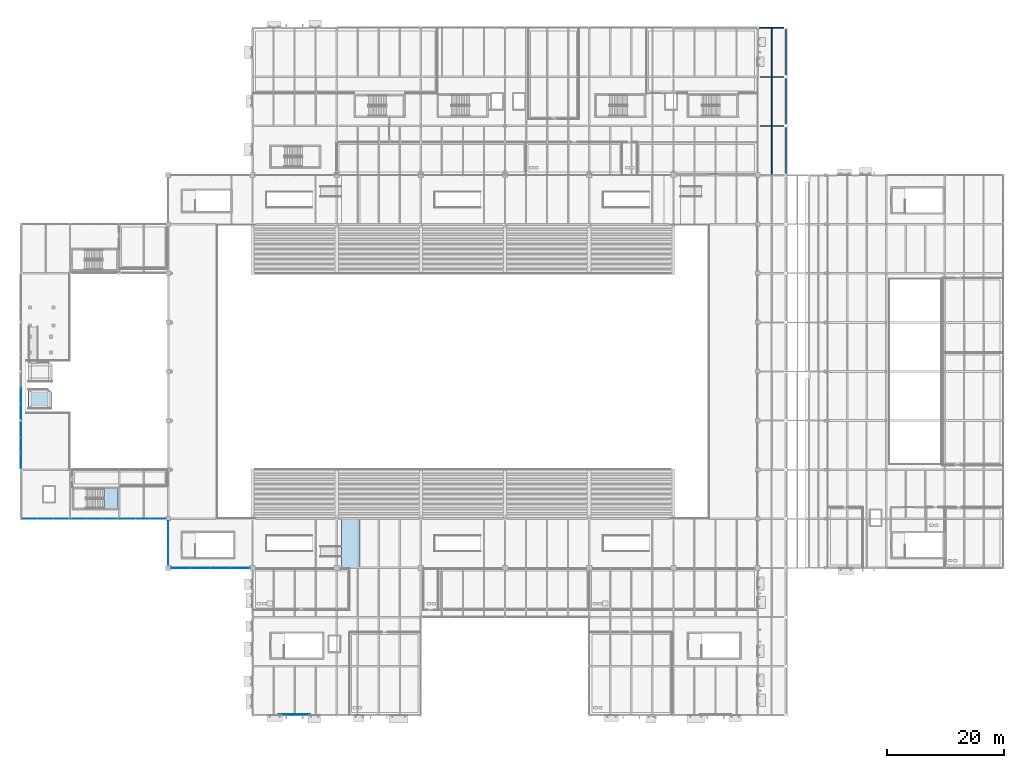
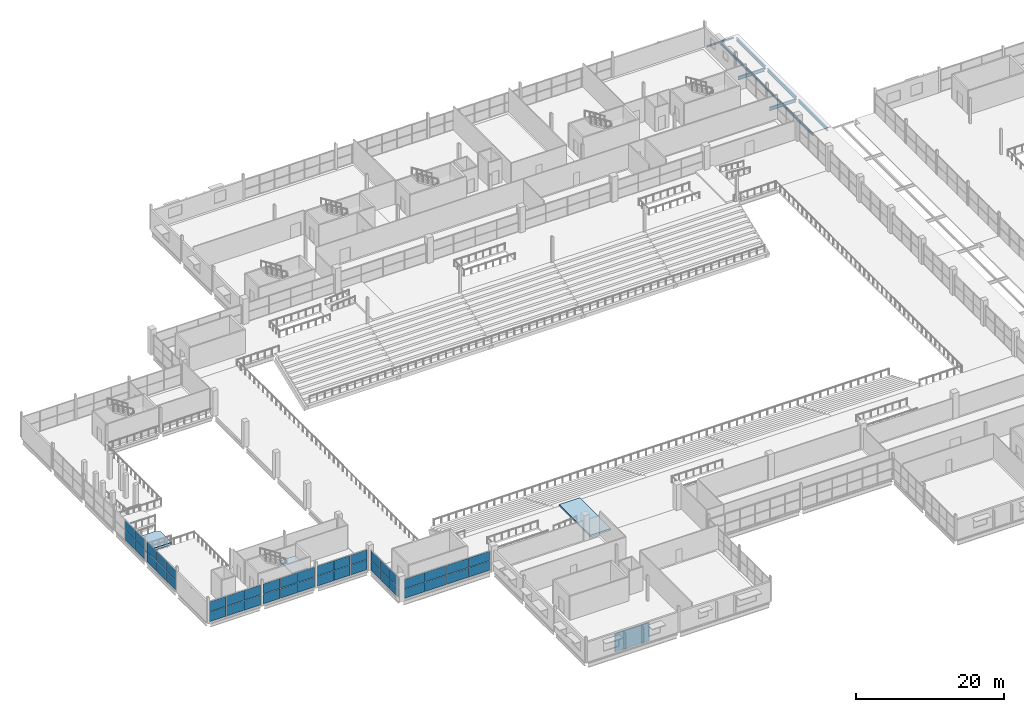
# One storey, part 122 of 161: 43 plates, 9 beams, 3 slabs, 8 elements without a shape of their own.
"""IFC4 building model written with IfcOpenShell, lengths in metres."""

from ifc_helpers import new_model, si_unit, direction, frame, origin, origin_2d, place, context, subcontext, project, spatial, polyline, rectangle, hollow_rectangle, i_section, outline, extrude, material, layer, layer_set, material_profile, profile_set, type_object, element, aggregate, save


model = new_model("IFC4")

# Units and contexts
model_context = context("Model", 3, precision=1e-05, world=origin(), true_north=direction((0.0, 1.0)))
body_context = subcontext(model_context, "Body", "Model", "MODEL_VIEW")
ifc_project = project(units=[si_unit("LENGTHUNIT", "METRE"), si_unit("AREAUNIT", "SQUARE_METRE"), si_unit("VOLUMEUNIT", "CUBIC_METRE"), si_unit("PLANEANGLEUNIT", "RADIAN"), si_unit("MASSUNIT", "GRAM", prefix="KILO"), si_unit("THERMODYNAMICTEMPERATUREUNIT", "KELVIN")], contexts=[model_context])

# Site, building, storey
site_placement = place(None, origin())
site = spatial("IfcSite", under=ifc_project, at=site_placement, CompositionType="ELEMENT")
building_placement = place(site_placement, origin())
building = spatial("IfcBuilding", under=site, at=building_placement, Name="Nduvali Passage Aquatics Centre", CompositionType="ELEMENT")
storey_placement = place(building_placement, frame((0.0, 0.0, 4.800048828125)))
storey = spatial("IfcBuildingStorey", under=building, at=storey_placement, Name="L01", CompositionType="ELEMENT", Elevation=4.800048828125)

# Beams
ifc_material_1 = material(Name="Steel S355", Category="steel")
ifc_material_profile_1 = material_profile(ifc_material_1, i_section(OverallWidth=0.210693359375, OverallDepth=0.53955078125, WebThickness=0.01171875, FlangeThickness=0.018798828125, FilletRadius=0.0126953125, at=origin_2d()), Name="UKB 533x210x109")
ifc_profile_set_1 = profile_set([ifc_material_profile_1], Name="Steel S355")
beam_type_1 = type_object("IfcBeamType", Name="STR-BM-UKB533", PredefinedType="BEAM", material=ifc_profile_set_1)
for number, where, z_axis, x_axis, name in (
    (1, (126.375, 100.800048828125, -0.273681640625), (1.0, 0.0, 0.0), (0.0, 1.0, 0.0), "L01 Primary X-Girder B6-0543"),
    (2, (126.375, 109.199951171875, -0.273681640625), (1.0, 0.0, 0.0), (0.0, 1.0, 0.0), "L01 Primary X-Girder B6-0550"),
):
    element("IfcBeam", number, at=place(storey_placement, frame(where, z_axis=z_axis, x_axis=x_axis)), inside=storey, type_object=beam_type_1, Name=name, PredefinedType="BEAM", context=body_context, shape_type="SweptSolid", body=[
        extrude(i_section(OverallWidth=0.210693359375, OverallDepth=0.53955078125, WebThickness=0.01171875, FlangeThickness=0.018798828125, FilletRadius=0.0126953125, at=origin_2d()), origin(), (0.0, 0.0, 1.0), 4.125),
    ])
beam_1_placement = place(storey_placement, frame((130.800048828125, 92.699951171875, -0.273681640625), z_axis=(0.0, 1.0, 0.0), x_axis=(-1.0, 0.0, 0.0)))
element("IfcBeam", 3, at=beam_1_placement, inside=storey, type_object=beam_type_1, Name="L01 Primary Y-Girder B6-0647", PredefinedType="BEAM", context=body_context, shape_type="SweptSolid", body=[
    extrude(i_section(OverallWidth=0.210693359375, OverallDepth=0.53955078125, WebThickness=0.01171875, FlangeThickness=0.018798828125, FilletRadius=0.0126953125, at=origin_2d()), origin(), (0.0, 0.0, 1.0), 7.800048828125),
])
beam_2_placement = place(storey_placement, frame((130.800048828125, 101.10009765625, -0.273681640625), z_axis=(0.0, 1.0, 0.0), x_axis=(-1.0, 0.0, 0.0)))
element("IfcBeam", 4, at=beam_2_placement, inside=storey, type_object=beam_type_1, Name="L01 Primary Y-Girder B6-0648", PredefinedType="BEAM", context=body_context, shape_type="SweptSolid", body=[
    extrude(i_section(OverallWidth=0.210693359375, OverallDepth=0.53955078125, WebThickness=0.01171875, FlangeThickness=0.018798828125, FilletRadius=0.0126953125, at=origin_2d()), origin(), (0.0, 0.0, 1.0), 7.7998046875),
])
beam_3_placement = place(storey_placement, frame((130.800048828125, 109.5, -0.273681640625), z_axis=(0.0, 1.0, 0.0), x_axis=(-1.0, 0.0, 0.0)))
element("IfcBeam", 5, at=beam_3_placement, inside=storey, type_object=beam_type_1, Name="L01 Primary Y-Girder B6-0649", PredefinedType="BEAM", context=body_context, shape_type="SweptSolid", body=[
    extrude(i_section(OverallWidth=0.210693359375, OverallDepth=0.53955078125, WebThickness=0.01171875, FlangeThickness=0.018798828125, FilletRadius=0.0126953125, at=origin_2d()), origin(), (0.0, 0.0, 1.0), 7.800048828125),
])
ifc_material_profile_2 = material_profile(ifc_material_1, i_section(OverallWidth=0.169921875, OverallDepth=0.360107421875, WebThickness=0.008056640625, FlangeThickness=0.0126953125, FilletRadius=0.01806640625, at=origin_2d()), Name="IPE 360")
ifc_profile_set_2 = profile_set([ifc_material_profile_2], Name="Steel S355")
beam_type_2 = type_object("IfcBeamType", Name="STR-JST-IPE360", PredefinedType="JOIST", material=ifc_profile_set_2)
beam_4_placement = place(storey_placement, frame((128.39990234375, 100.905517578125, -0.18408203125), z_axis=(0.0, 1.0, 0.0), x_axis=(-1.0, 0.0, 0.0)))
element("IfcBeam", 6, at=beam_4_placement, inside=storey, type_object=beam_type_2, Name="L01 Secondary Joist J6-0840", PredefinedType="JOIST", context=body_context, shape_type="SweptSolid", body=[
    extrude(i_section(OverallWidth=0.169921875, OverallDepth=0.360107421875, WebThickness=0.008056640625, FlangeThickness=0.0126953125, FilletRadius=0.01806640625, at=origin_2d()), origin(), (0.0, 0.0, 1.0), 8.18896484375),
])
ifc_material_profile_3 = material_profile(ifc_material_1, i_section(OverallWidth=0.172119140625, OverallDepth=0.35791015625, WebThickness=0.008056640625, FlangeThickness=0.012939453125, FilletRadius=0.01025390625, at=origin_2d()), Name="UKB 356x171x57")
ifc_profile_set_3 = profile_set([ifc_material_profile_3], Name="Steel S355")
beam_type_3 = type_object("IfcBeamType", Name="STR-JST-UKB356", PredefinedType="JOIST", material=ifc_profile_set_3)
beam_5_placement = place(storey_placement, frame((128.39990234375, 92.47509765625, -0.18310546875), z_axis=(0.0, 1.0, 0.0), x_axis=(-1.0, 0.0, 0.0)))
element("IfcBeam", 7, at=beam_5_placement, inside=storey, type_object=beam_type_3, Name="L01 Secondary Joist J2-0832", PredefinedType="JOIST", context=body_context, shape_type="SweptSolid", body=[
    extrude(i_section(OverallWidth=0.172119140625, OverallDepth=0.35791015625, WebThickness=0.008056640625, FlangeThickness=0.012939453125, FilletRadius=0.01025390625, at=origin_2d()), origin(), (0.0, 0.0, 1.0), 8.219482421875),
])
ifc_material_profile_4 = material_profile(ifc_material_1, i_section(OverallWidth=0.14208984375, OverallDepth=0.4033203125, WebThickness=0.0068359375, FlangeThickness=0.01123046875, FilletRadius=0.01025390625, at=origin_2d()), Name="UKB 406x140x46")
ifc_profile_set_4 = profile_set([ifc_material_profile_4], Name="Steel S355")
beam_type_4 = type_object("IfcBeamType", Name="STR-JST-UKB406L", PredefinedType="JOIST", material=ifc_profile_set_4)
beam_6_placement = place(storey_placement, frame((128.39990234375, 109.305419921875, -0.20556640625), z_axis=(0.0, 1.0, 0.0), x_axis=(-1.0, 0.0, 0.0)))
element("IfcBeam", 8, at=beam_6_placement, inside=storey, type_object=beam_type_4, Name="L01 Secondary Joist J1B-0859", PredefinedType="JOIST", context=body_context, shape_type="SweptSolid", body=[
    extrude(i_section(OverallWidth=0.14208984375, OverallDepth=0.4033203125, WebThickness=0.0068359375, FlangeThickness=0.01123046875, FilletRadius=0.01025390625, at=origin_2d()), origin(), (0.0, 0.0, 1.0), 8.219482421875),
])
ifc_material_profile_5 = material_profile(ifc_material_1, hollow_rectangle(XDim=0.14990234375, YDim=0.25, WallThickness=0.008056640625, at=origin_2d()), Name="RHS 250x150x8.0")
ifc_profile_set_5 = profile_set([ifc_material_profile_5], Name="Steel S355")
beam_type_5 = type_object("IfcBeamType", Name="STR-SPN-RHS250-EXT", PredefinedType="SPANDREL", material=ifc_profile_set_5)
beam_7_placement = place(storey_placement, frame((126.300048828125, 117.60009765625, -0.129150390625), z_axis=(1.0, 0.0, 0.0), x_axis=(0.0, 1.0, 0.0)))
element("IfcBeam", 9, at=beam_7_placement, inside=storey, type_object=beam_type_5, Name="L01 Primary X-Girder SP2E-0557", PredefinedType="SPANDREL", context=body_context, shape_type="SweptSolid", body=[
    extrude(hollow_rectangle(XDim=0.14990234375, YDim=0.25, WallThickness=0.008056640625, at=origin_2d()), origin(), (0.0, 0.0, 1.0), 4.199951171875),
])

# Plate
ifc_material_2 = material(Name="Coral-stone masonry blockwork", Category="masonry")
ifc_layer_1 = layer(ifc_material_2, 0.1201171875, Name="Coral-stone masonry blockwork")
ifc_layer_set_1 = layer_set([ifc_layer_1], Name="Coral-stone masonry blockwork")
plate_type_1 = type_object("IfcPlateType", Name="ENV-PLT-CLS120", PredefinedType="USERDEFINED", material=ifc_layer_set_1)
plate_1_placement = place(storey_placement, frame((46.800048828125, 0.1201171875, 0.0), z_axis=(0.0, 0.0, 1.0), x_axis=(1.0, 0.0, 0.0)))
element("IfcPlate", 10, at=plate_1_placement, inside=storey, type_object=plate_type_1, Name="L01 Changing Village South Claustra 1", ObjectType="CLAUSTRA SCREEN", PredefinedType="USERDEFINED", context=body_context, shape_type="SweptSolid", body=[
    extrude(rectangle(XDim=5.39990234375, YDim=0.1201171875, at=origin_2d()), origin(), (0.0, 0.0, 1.0), 3.0),
])

# Curtain wall, plates
ifc_material_3 = material(Name="Aluminium EN AW-6063 T6", Category="aluminium")
curtain_wall_type_1 = type_object("IfcCurtainWallType", Name="ENV-CW-HALL", PredefinedType="NOTDEFINED", material=ifc_material_3)
curtain_wall_1_placement = place(storey_placement, origin())
curtain_wall_1 = element("IfcCurtainWall", 11, at=curtain_wall_1_placement, inside=storey, type_object=curtain_wall_type_1, Name="L01 West Pool Hall Gallery Glazing 002", PredefinedType="NOTDEFINED")
ifc_material_4 = material(Name="Laminated solar-control low-E IGU")
ifc_layer_2 = layer(ifc_material_4, 0.031982421875, Name="Laminated solar-control low-E IGU")
ifc_layer_set_2 = layer_set([ifc_layer_2], Name="Laminated solar-control low-E IGU")
plate_type_2 = type_object("IfcPlateType", Name="ENV-PLT-GLZ32", PredefinedType="CURTAIN_PANEL", material=ifc_layer_set_2)
plate_2_placement = place(storey_placement, frame((25.199951171875, 26.927490234375, 0.06005859375), z_axis=(0.0, 0.0, 1.0), x_axis=(0.0, 1.0, 0.0)))
plate_2 = element("IfcPlate", 12, at=plate_2_placement, type_object=plate_type_2, Name="West Pool Hall Gallery Glazing Glazed Panel B1-R1", PredefinedType="CURTAIN_PANEL", context=body_context, shape_type="SweptSolid", body=[
    extrude(rectangle(XDim=2.43505859375, YDim=0.031982421875, at=origin_2d()), origin(), (0.0, 0.0, 1.0), 1.6083984375),
])
plate_3_placement = place(storey_placement, frame((25.199951171875, 26.927490234375, 1.728271484375), z_axis=(0.0, 0.0, 1.0), x_axis=(0.0, 1.0, 0.0)))
plate_3 = element("IfcPlate", 13, at=plate_3_placement, type_object=plate_type_2, Name="West Pool Hall Gallery Glazing Glazed Panel B1-R2", PredefinedType="CURTAIN_PANEL", context=body_context, shape_type="SweptSolid", body=[
    extrude(rectangle(XDim=2.43505859375, YDim=0.031982421875, at=origin_2d()), origin(), (0.0, 0.0, 1.0), 1.6083984375),
])
plate_4_placement = place(storey_placement, frame((25.199951171875, 29.4375, 0.06005859375), z_axis=(0.0, 0.0, 1.0), x_axis=(0.0, 1.0, 0.0)))
plate_4 = element("IfcPlate", 14, at=plate_4_placement, type_object=plate_type_2, Name="West Pool Hall Gallery Glazing Glazed Panel B2-R1", PredefinedType="CURTAIN_PANEL", context=body_context, shape_type="SweptSolid", body=[
    extrude(rectangle(XDim=2.465087890625, YDim=0.031982421875, at=origin_2d()), origin(), (0.0, 0.0, 1.0), 1.6083984375),
])
plate_5_placement = place(storey_placement, frame((25.199951171875, 29.4375, 1.728271484375), z_axis=(0.0, 0.0, 1.0), x_axis=(0.0, 1.0, 0.0)))
plate_5 = element("IfcPlate", 15, at=plate_5_placement, type_object=plate_type_2, Name="West Pool Hall Gallery Glazing Glazed Panel B2-R2", PredefinedType="CURTAIN_PANEL", context=body_context, shape_type="SweptSolid", body=[
    extrude(rectangle(XDim=2.465087890625, YDim=0.031982421875, at=origin_2d()), origin(), (0.0, 0.0, 1.0), 1.6083984375),
])
plate_6_placement = place(storey_placement, frame((25.199951171875, 31.947509765625, 0.06005859375), z_axis=(0.0, 0.0, 1.0), x_axis=(0.0, 1.0, 0.0)))
plate_6 = element("IfcPlate", 16, at=plate_6_placement, type_object=plate_type_2, Name="West Pool Hall Gallery Glazing Glazed Panel B3-R1", PredefinedType="CURTAIN_PANEL", context=body_context, shape_type="SweptSolid", body=[
    extrude(rectangle(XDim=2.43505859375, YDim=0.031982421875, at=origin_2d()), origin(), (0.0, 0.0, 1.0), 1.6083984375),
])
plate_7_placement = place(storey_placement, frame((25.199951171875, 31.947509765625, 1.728271484375), z_axis=(0.0, 0.0, 1.0), x_axis=(0.0, 1.0, 0.0)))
plate_7 = element("IfcPlate", 17, at=plate_7_placement, type_object=plate_type_2, Name="West Pool Hall Gallery Glazing Glazed Panel B3-R2", PredefinedType="CURTAIN_PANEL", context=body_context, shape_type="SweptSolid", body=[
    extrude(rectangle(XDim=2.43505859375, YDim=0.031982421875, at=origin_2d()), origin(), (0.0, 0.0, 1.0), 1.6083984375),
])
aggregate(curtain_wall_1, [plate_2, plate_3, plate_4, plate_5, plate_6, plate_7])

curtain_wall_2_placement = place(storey_placement, origin())
curtain_wall_2 = element("IfcCurtainWall", 18, at=curtain_wall_2_placement, inside=storey, type_object=curtain_wall_type_1, Name="L01 South Pool Hall Corner CW 044", PredefinedType="NOTDEFINED")
plate_8_placement = place(storey_placement, frame((27.3525390625, 25.199951171875, 0.06005859375), z_axis=(0.0, 0.0, 1.0), x_axis=(1.0, 0.0, 0.0)))
plate_8 = element("IfcPlate", 19, at=plate_8_placement, type_object=plate_type_2, Name="South Pool Hall Corner CW Glazed Panel B1-R1", PredefinedType="CURTAIN_PANEL", context=body_context, shape_type="SweptSolid", body=[
    extrude(rectangle(XDim=3.284912109375, YDim=0.031982421875, at=origin_2d()), origin(), (0.0, 0.0, 1.0), 1.536376953125),
])
plate_9_placement = place(storey_placement, frame((27.3525390625, 25.199951171875, 1.65625), z_axis=(0.0, 0.0, 1.0), x_axis=(1.0, 0.0, 0.0)))
plate_9 = element("IfcPlate", 20, at=plate_9_placement, type_object=plate_type_2, Name="South Pool Hall Corner CW Glazed Panel B1-R2", PredefinedType="CURTAIN_PANEL", context=body_context, shape_type="SweptSolid", body=[
    extrude(rectangle(XDim=3.284912109375, YDim=0.031982421875, at=origin_2d()), origin(), (0.0, 0.0, 1.0), 1.536376953125),
])
plate_10_placement = place(storey_placement, frame((30.71240234375, 25.199951171875, 0.06005859375), z_axis=(0.0, 0.0, 1.0), x_axis=(1.0, 0.0, 0.0)))
plate_10 = element("IfcPlate", 21, at=plate_10_placement, type_object=plate_type_2, Name="South Pool Hall Corner CW Glazed Panel B2-R1", PredefinedType="CURTAIN_PANEL", context=body_context, shape_type="SweptSolid", body=[
    extrude(rectangle(XDim=3.31494140625, YDim=0.031982421875, at=origin_2d()), origin(), (0.0, 0.0, 1.0), 1.536376953125),
])
plate_11_placement = place(storey_placement, frame((30.71240234375, 25.199951171875, 1.65625), z_axis=(0.0, 0.0, 1.0), x_axis=(1.0, 0.0, 0.0)))
plate_11 = element("IfcPlate", 22, at=plate_11_placement, type_object=plate_type_2, Name="South Pool Hall Corner CW Glazed Panel B2-R2", PredefinedType="CURTAIN_PANEL", context=body_context, shape_type="SweptSolid", body=[
    extrude(rectangle(XDim=3.31494140625, YDim=0.031982421875, at=origin_2d()), origin(), (0.0, 0.0, 1.0), 1.536376953125),
])
plate_12_placement = place(storey_placement, frame((34.08740234375, 25.199951171875, 0.06005859375), z_axis=(0.0, 0.0, 1.0), x_axis=(1.0, 0.0, 0.0)))
plate_12 = element("IfcPlate", 23, at=plate_12_placement, type_object=plate_type_2, Name="South Pool Hall Corner CW Glazed Panel B3-R1", PredefinedType="CURTAIN_PANEL", context=body_context, shape_type="SweptSolid", body=[
    extrude(rectangle(XDim=3.31494140625, YDim=0.031982421875, at=origin_2d()), origin(), (0.0, 0.0, 1.0), 1.536376953125),
])
plate_13_placement = place(storey_placement, frame((34.08740234375, 25.199951171875, 1.65625), z_axis=(0.0, 0.0, 1.0), x_axis=(1.0, 0.0, 0.0)))
plate_13 = element("IfcPlate", 24, at=plate_13_placement, type_object=plate_type_2, Name="South Pool Hall Corner CW Glazed Panel B3-R2", PredefinedType="CURTAIN_PANEL", context=body_context, shape_type="SweptSolid", body=[
    extrude(rectangle(XDim=3.31494140625, YDim=0.031982421875, at=origin_2d()), origin(), (0.0, 0.0, 1.0), 1.536376953125),
])
plate_14_placement = place(storey_placement, frame((37.447509765625, 25.199951171875, 0.06005859375), z_axis=(0.0, 0.0, 1.0), x_axis=(1.0, 0.0, 0.0)))
plate_14 = element("IfcPlate", 25, at=plate_14_placement, type_object=plate_type_2, Name="South Pool Hall Corner CW Glazed Panel B4-R1", PredefinedType="CURTAIN_PANEL", context=body_context, shape_type="SweptSolid", body=[
    extrude(rectangle(XDim=3.284912109375, YDim=0.031982421875, at=origin_2d()), origin(), (0.0, 0.0, 1.0), 1.536376953125),
])
plate_15_placement = place(storey_placement, frame((37.447509765625, 25.199951171875, 1.65625), z_axis=(0.0, 0.0, 1.0), x_axis=(1.0, 0.0, 0.0)))
plate_15 = element("IfcPlate", 26, at=plate_15_placement, type_object=plate_type_2, Name="South Pool Hall Corner CW Glazed Panel B4-R2", PredefinedType="CURTAIN_PANEL", context=body_context, shape_type="SweptSolid", body=[
    extrude(rectangle(XDim=3.284912109375, YDim=0.031982421875, at=origin_2d()), origin(), (0.0, 0.0, 1.0), 1.536376953125),
])
aggregate(curtain_wall_2, [plate_8, plate_9, plate_10, plate_11, plate_12, plate_13, plate_14, plate_15])

curtain_wall_type_2 = type_object("IfcCurtainWallType", Name="ENV-CW-DIVE", PredefinedType="NOTDEFINED", material=ifc_material_3)
curtain_wall_3_placement = place(storey_placement, origin())
curtain_wall_3 = element("IfcCurtainWall", 27, at=curtain_wall_3_placement, inside=storey, type_object=curtain_wall_type_2, Name="L01 West Diving Tower Viewing CW 128", PredefinedType="NOTDEFINED")
plate_16_placement = place(storey_placement, frame((0.0, 43.523193359375, 0.06005859375), z_axis=(0.0, 0.0, 1.0), x_axis=(0.0, 1.0, 0.0)))
plate_16 = element("IfcPlate", 28, at=plate_16_placement, type_object=plate_type_2, Name="West Diving Tower Viewing CW Glazed Panel B1-R1", PredefinedType="CURTAIN_PANEL", context=body_context, shape_type="SweptSolid", body=[
    extrude(rectangle(XDim=2.586669921875, YDim=0.031982421875, at=origin_2d()), origin(), (0.0, 0.0, 1.0), 1.6083984375),
])
plate_17_placement = place(storey_placement, frame((0.0, 43.523193359375, 1.728271484375), z_axis=(0.0, 0.0, 1.0), x_axis=(0.0, 1.0, 0.0)))
plate_17 = element("IfcPlate", 29, at=plate_17_placement, type_object=plate_type_2, Name="West Diving Tower Viewing CW Glazed Panel B1-R2", PredefinedType="CURTAIN_PANEL", context=body_context, shape_type="SweptSolid", body=[
    extrude(rectangle(XDim=2.586669921875, YDim=0.031982421875, at=origin_2d()), origin(), (0.0, 0.0, 1.0), 1.6083984375),
])
plate_18_placement = place(storey_placement, frame((0.0, 46.18505859375, 0.06005859375), z_axis=(0.0, 0.0, 1.0), x_axis=(0.0, 1.0, 0.0)))
plate_18 = element("IfcPlate", 30, at=plate_18_placement, type_object=plate_type_2, Name="West Diving Tower Viewing CW Glazed Panel B2-R1", PredefinedType="CURTAIN_PANEL", context=body_context, shape_type="SweptSolid", body=[
    extrude(rectangle(XDim=2.61669921875, YDim=0.031982421875, at=origin_2d()), origin(), (0.0, 0.0, 1.0), 1.6083984375),
])
plate_19_placement = place(storey_placement, frame((0.0, 46.18505859375, 1.728271484375), z_axis=(0.0, 0.0, 1.0), x_axis=(0.0, 1.0, 0.0)))
plate_19 = element("IfcPlate", 31, at=plate_19_placement, type_object=plate_type_2, Name="West Diving Tower Viewing CW Glazed Panel B2-R2", PredefinedType="CURTAIN_PANEL", context=body_context, shape_type="SweptSolid", body=[
    extrude(rectangle(XDim=2.61669921875, YDim=0.031982421875, at=origin_2d()), origin(), (0.0, 0.0, 1.0), 1.6083984375),
])
plate_20_placement = place(storey_placement, frame((0.0, 48.8466796875, 0.06005859375), z_axis=(0.0, 0.0, 1.0), x_axis=(0.0, 1.0, 0.0)))
plate_20 = element("IfcPlate", 32, at=plate_20_placement, type_object=plate_type_2, Name="West Diving Tower Viewing CW Glazed Panel B3-R1", PredefinedType="CURTAIN_PANEL", context=body_context, shape_type="SweptSolid", body=[
    extrude(rectangle(XDim=2.586669921875, YDim=0.031982421875, at=origin_2d()), origin(), (0.0, 0.0, 1.0), 1.6083984375),
])
plate_21_placement = place(storey_placement, frame((0.0, 48.8466796875, 1.728271484375), z_axis=(0.0, 0.0, 1.0), x_axis=(0.0, 1.0, 0.0)))
plate_21 = element("IfcPlate", 33, at=plate_21_placement, type_object=plate_type_2, Name="West Diving Tower Viewing CW Glazed Panel B3-R2", PredefinedType="CURTAIN_PANEL", context=body_context, shape_type="SweptSolid", body=[
    extrude(rectangle(XDim=2.586669921875, YDim=0.031982421875, at=origin_2d()), origin(), (0.0, 0.0, 1.0), 1.6083984375),
])
aggregate(curtain_wall_3, [plate_16, plate_17, plate_18, plate_19, plate_20, plate_21])

curtain_wall_4_placement = place(storey_placement, origin())
curtain_wall_4 = element("IfcCurtainWall", 34, at=curtain_wall_4_placement, inside=storey, type_object=curtain_wall_type_2, Name="L01 West Diving Tower Viewing CW 133", PredefinedType="NOTDEFINED")
plate_22_placement = place(storey_placement, frame((0.0, 51.9482421875, 0.06005859375), z_axis=(0.0, 0.0, 1.0), x_axis=(0.0, 1.0, 0.0)))
plate_22 = element("IfcPlate", 35, at=plate_22_placement, type_object=plate_type_2, Name="West Diving Tower Viewing CW Glazed Panel B1-R1", PredefinedType="CURTAIN_PANEL", context=body_context, shape_type="SweptSolid", body=[
    extrude(rectangle(XDim=2.57666015625, YDim=0.031982421875, at=origin_2d()), origin(), (0.0, 0.0, 1.0), 1.6083984375),
])
plate_23_placement = place(storey_placement, frame((0.0, 51.9482421875, 1.728271484375), z_axis=(0.0, 0.0, 1.0), x_axis=(0.0, 1.0, 0.0)))
plate_23 = element("IfcPlate", 36, at=plate_23_placement, type_object=plate_type_2, Name="West Diving Tower Viewing CW Glazed Panel B1-R2", PredefinedType="CURTAIN_PANEL", context=body_context, shape_type="SweptSolid", body=[
    extrude(rectangle(XDim=2.57666015625, YDim=0.031982421875, at=origin_2d()), origin(), (0.0, 0.0, 1.0), 1.6083984375),
])
plate_24_placement = place(storey_placement, frame((0.0, 54.60009765625, 0.06005859375), z_axis=(0.0, 0.0, 1.0), x_axis=(0.0, 1.0, 0.0)))
plate_24 = element("IfcPlate", 37, at=plate_24_placement, type_object=plate_type_2, Name="West Diving Tower Viewing CW Glazed Panel B2-R1", PredefinedType="CURTAIN_PANEL", context=body_context, shape_type="SweptSolid", body=[
    extrude(rectangle(XDim=2.606689453125, YDim=0.031982421875, at=origin_2d()), origin(), (0.0, 0.0, 1.0), 1.6083984375),
])
plate_25_placement = place(storey_placement, frame((0.0, 54.60009765625, 1.728271484375), z_axis=(0.0, 0.0, 1.0), x_axis=(0.0, 1.0, 0.0)))
plate_25 = element("IfcPlate", 38, at=plate_25_placement, type_object=plate_type_2, Name="West Diving Tower Viewing CW Glazed Panel B2-R2", PredefinedType="CURTAIN_PANEL", context=body_context, shape_type="SweptSolid", body=[
    extrude(rectangle(XDim=2.606689453125, YDim=0.031982421875, at=origin_2d()), origin(), (0.0, 0.0, 1.0), 1.6083984375),
])
aggregate(curtain_wall_4, [plate_22, plate_23, plate_24, plate_25])

curtain_wall_5_placement = place(storey_placement, origin())
curtain_wall_5 = element("IfcCurtainWall", 39, at=curtain_wall_5_placement, inside=storey, type_object=curtain_wall_type_2, Name="L01 Diving Gallery Clerestory CW 147", PredefinedType="NOTDEFINED")
plate_26_placement = place(storey_placement, frame((1.514892578125, 33.60009765625, 0.06005859375), z_axis=(0.0, 0.0, 1.0), x_axis=(1.0, 0.0, 0.0)))
plate_26 = element("IfcPlate", 40, at=plate_26_placement, type_object=plate_type_2, Name="Diving Gallery Clerestory CW Glazed Panel B1-R1", PredefinedType="CURTAIN_PANEL", context=body_context, shape_type="SweptSolid", body=[
    extrude(rectangle(XDim=2.610107421875, YDim=0.031982421875, at=origin_2d()), origin(), (0.0, 0.0, 1.0), 1.6083984375),
])
plate_27_placement = place(storey_placement, frame((1.514892578125, 33.60009765625, 1.728271484375), z_axis=(0.0, 0.0, 1.0), x_axis=(1.0, 0.0, 0.0)))
plate_27 = element("IfcPlate", 41, at=plate_27_placement, type_object=plate_type_2, Name="Diving Gallery Clerestory CW Glazed Panel B1-R2", PredefinedType="CURTAIN_PANEL", context=body_context, shape_type="SweptSolid", body=[
    extrude(rectangle(XDim=2.610107421875, YDim=0.031982421875, at=origin_2d()), origin(), (0.0, 0.0, 1.0), 1.6083984375),
])
plate_28_placement = place(storey_placement, frame((4.199951171875, 33.60009765625, 0.06005859375), z_axis=(0.0, 0.0, 1.0), x_axis=(1.0, 0.0, 0.0)))
plate_28 = element("IfcPlate", 42, at=plate_28_placement, type_object=plate_type_2, Name="Diving Gallery Clerestory CW Glazed Panel B2-R1", PredefinedType="CURTAIN_PANEL", context=body_context, shape_type="SweptSolid", body=[
    extrude(rectangle(XDim=2.639892578125, YDim=0.031982421875, at=origin_2d()), origin(), (0.0, 0.0, 1.0), 1.6083984375),
])
plate_29_placement = place(storey_placement, frame((4.199951171875, 33.60009765625, 1.728271484375), z_axis=(0.0, 0.0, 1.0), x_axis=(1.0, 0.0, 0.0)))
plate_29 = element("IfcPlate", 43, at=plate_29_placement, type_object=plate_type_2, Name="Diving Gallery Clerestory CW Glazed Panel B2-R2", PredefinedType="CURTAIN_PANEL", context=body_context, shape_type="SweptSolid", body=[
    extrude(rectangle(XDim=2.639892578125, YDim=0.031982421875, at=origin_2d()), origin(), (0.0, 0.0, 1.0), 1.6083984375),
])
plate_30_placement = place(storey_placement, frame((6.885009765625, 33.60009765625, 0.06005859375), z_axis=(0.0, 0.0, 1.0), x_axis=(1.0, 0.0, 0.0)))
plate_30 = element("IfcPlate", 44, at=plate_30_placement, type_object=plate_type_2, Name="Diving Gallery Clerestory CW Glazed Panel B3-R1", PredefinedType="CURTAIN_PANEL", context=body_context, shape_type="SweptSolid", body=[
    extrude(rectangle(XDim=2.610107421875, YDim=0.031982421875, at=origin_2d()), origin(), (0.0, 0.0, 1.0), 1.6083984375),
])
plate_31_placement = place(storey_placement, frame((6.885009765625, 33.60009765625, 1.728271484375), z_axis=(0.0, 0.0, 1.0), x_axis=(1.0, 0.0, 0.0)))
plate_31 = element("IfcPlate", 45, at=plate_31_placement, type_object=plate_type_2, Name="Diving Gallery Clerestory CW Glazed Panel B3-R2", PredefinedType="CURTAIN_PANEL", context=body_context, shape_type="SweptSolid", body=[
    extrude(rectangle(XDim=2.610107421875, YDim=0.031982421875, at=origin_2d()), origin(), (0.0, 0.0, 1.0), 1.6083984375),
])
aggregate(curtain_wall_5, [plate_26, plate_27, plate_28, plate_29, plate_30, plate_31])

curtain_wall_6_placement = place(storey_placement, origin())
curtain_wall_6 = element("IfcCurtainWall", 46, at=curtain_wall_6_placement, inside=storey, type_object=curtain_wall_type_2, Name="L01 Diving Gallery Clerestory CW 149", PredefinedType="NOTDEFINED")
plate_32_placement = place(storey_placement, frame((9.9150390625, 33.60009765625, 0.06005859375), z_axis=(0.0, 0.0, 1.0), x_axis=(1.0, 0.0, 0.0)))
plate_32 = element("IfcPlate", 47, at=plate_32_placement, type_object=plate_type_2, Name="Diving Gallery Clerestory CW Glazed Panel B1-R1", PredefinedType="CURTAIN_PANEL", context=body_context, shape_type="SweptSolid", body=[
    extrude(rectangle(XDim=2.610107421875, YDim=0.031982421875, at=origin_2d()), origin(), (0.0, 0.0, 1.0), 1.6083984375),
])
plate_33_placement = place(storey_placement, frame((9.9150390625, 33.60009765625, 1.728271484375), z_axis=(0.0, 0.0, 1.0), x_axis=(1.0, 0.0, 0.0)))
plate_33 = element("IfcPlate", 48, at=plate_33_placement, type_object=plate_type_2, Name="Diving Gallery Clerestory CW Glazed Panel B1-R2", PredefinedType="CURTAIN_PANEL", context=body_context, shape_type="SweptSolid", body=[
    extrude(rectangle(XDim=2.610107421875, YDim=0.031982421875, at=origin_2d()), origin(), (0.0, 0.0, 1.0), 1.6083984375),
])
plate_34_placement = place(storey_placement, frame((12.60009765625, 33.60009765625, 0.06005859375), z_axis=(0.0, 0.0, 1.0), x_axis=(1.0, 0.0, 0.0)))
plate_34 = element("IfcPlate", 49, at=plate_34_placement, type_object=plate_type_2, Name="Diving Gallery Clerestory CW Glazed Panel B2-R1", PredefinedType="CURTAIN_PANEL", context=body_context, shape_type="SweptSolid", body=[
    extrude(rectangle(XDim=2.639892578125, YDim=0.031982421875, at=origin_2d()), origin(), (0.0, 0.0, 1.0), 1.6083984375),
])
plate_35_placement = place(storey_placement, frame((12.60009765625, 33.60009765625, 1.728271484375), z_axis=(0.0, 0.0, 1.0), x_axis=(1.0, 0.0, 0.0)))
plate_35 = element("IfcPlate", 50, at=plate_35_placement, type_object=plate_type_2, Name="Diving Gallery Clerestory CW Glazed Panel B2-R2", PredefinedType="CURTAIN_PANEL", context=body_context, shape_type="SweptSolid", body=[
    extrude(rectangle(XDim=2.639892578125, YDim=0.031982421875, at=origin_2d()), origin(), (0.0, 0.0, 1.0), 1.6083984375),
])
plate_36_placement = place(storey_placement, frame((15.284912109375, 33.60009765625, 0.06005859375), z_axis=(0.0, 0.0, 1.0), x_axis=(1.0, 0.0, 0.0)))
plate_36 = element("IfcPlate", 51, at=plate_36_placement, type_object=plate_type_2, Name="Diving Gallery Clerestory CW Glazed Panel B3-R1", PredefinedType="CURTAIN_PANEL", context=body_context, shape_type="SweptSolid", body=[
    extrude(rectangle(XDim=2.610107421875, YDim=0.031982421875, at=origin_2d()), origin(), (0.0, 0.0, 1.0), 1.6083984375),
])
plate_37_placement = place(storey_placement, frame((15.284912109375, 33.60009765625, 1.728271484375), z_axis=(0.0, 0.0, 1.0), x_axis=(1.0, 0.0, 0.0)))
plate_37 = element("IfcPlate", 52, at=plate_37_placement, type_object=plate_type_2, Name="Diving Gallery Clerestory CW Glazed Panel B3-R2", PredefinedType="CURTAIN_PANEL", context=body_context, shape_type="SweptSolid", body=[
    extrude(rectangle(XDim=2.610107421875, YDim=0.031982421875, at=origin_2d()), origin(), (0.0, 0.0, 1.0), 1.6083984375),
])
aggregate(curtain_wall_6, [plate_32, plate_33, plate_34, plate_35, plate_36, plate_37])

curtain_wall_7_placement = place(storey_placement, origin())
curtain_wall_7 = element("IfcCurtainWall", 53, at=curtain_wall_7_placement, inside=storey, type_object=curtain_wall_type_2, Name="L01 Diving Gallery Clerestory CW 151", PredefinedType="NOTDEFINED")
plate_38_placement = place(storey_placement, frame((18.277587890625, 33.60009765625, 0.06005859375), z_axis=(0.0, 0.0, 1.0), x_axis=(1.0, 0.0, 0.0)))
plate_38 = element("IfcPlate", 54, at=plate_38_placement, type_object=plate_type_2, Name="Diving Gallery Clerestory CW Glazed Panel B1-R1", PredefinedType="CURTAIN_PANEL", context=body_context, shape_type="SweptSolid", body=[
    extrude(rectangle(XDim=2.534912109375, YDim=0.031982421875, at=origin_2d()), origin(), (0.0, 0.0, 1.0), 1.6083984375),
])
plate_39_placement = place(storey_placement, frame((18.277587890625, 33.60009765625, 1.728271484375), z_axis=(0.0, 0.0, 1.0), x_axis=(1.0, 0.0, 0.0)))
plate_39 = element("IfcPlate", 55, at=plate_39_placement, type_object=plate_type_2, Name="Diving Gallery Clerestory CW Glazed Panel B1-R2", PredefinedType="CURTAIN_PANEL", context=body_context, shape_type="SweptSolid", body=[
    extrude(rectangle(XDim=2.534912109375, YDim=0.031982421875, at=origin_2d()), origin(), (0.0, 0.0, 1.0), 1.6083984375),
])
plate_40_placement = place(storey_placement, frame((20.887451171875, 33.60009765625, 0.06005859375), z_axis=(0.0, 0.0, 1.0), x_axis=(1.0, 0.0, 0.0)))
plate_40 = element("IfcPlate", 56, at=plate_40_placement, type_object=plate_type_2, Name="Diving Gallery Clerestory CW Glazed Panel B2-R1", PredefinedType="CURTAIN_PANEL", context=body_context, shape_type="SweptSolid", body=[
    extrude(rectangle(XDim=2.56494140625, YDim=0.031982421875, at=origin_2d()), origin(), (0.0, 0.0, 1.0), 1.6083984375),
])
plate_41_placement = place(storey_placement, frame((20.887451171875, 33.60009765625, 1.728271484375), z_axis=(0.0, 0.0, 1.0), x_axis=(1.0, 0.0, 0.0)))
plate_41 = element("IfcPlate", 57, at=plate_41_placement, type_object=plate_type_2, Name="Diving Gallery Clerestory CW Glazed Panel B2-R2", PredefinedType="CURTAIN_PANEL", context=body_context, shape_type="SweptSolid", body=[
    extrude(rectangle(XDim=2.56494140625, YDim=0.031982421875, at=origin_2d()), origin(), (0.0, 0.0, 1.0), 1.6083984375),
])
plate_42_placement = place(storey_placement, frame((23.49755859375, 33.60009765625, 0.06005859375), z_axis=(0.0, 0.0, 1.0), x_axis=(1.0, 0.0, 0.0)))
plate_42 = element("IfcPlate", 58, at=plate_42_placement, type_object=plate_type_2, Name="Diving Gallery Clerestory CW Glazed Panel B3-R1", PredefinedType="CURTAIN_PANEL", context=body_context, shape_type="SweptSolid", body=[
    extrude(rectangle(XDim=2.534912109375, YDim=0.031982421875, at=origin_2d()), origin(), (0.0, 0.0, 1.0), 1.6083984375),
])
plate_43_placement = place(storey_placement, frame((23.49755859375, 33.60009765625, 1.728271484375), z_axis=(0.0, 0.0, 1.0), x_axis=(1.0, 0.0, 0.0)))
plate_43 = element("IfcPlate", 59, at=plate_43_placement, type_object=plate_type_2, Name="Diving Gallery Clerestory CW Glazed Panel B3-R2", PredefinedType="CURTAIN_PANEL", context=body_context, shape_type="SweptSolid", body=[
    extrude(rectangle(XDim=2.534912109375, YDim=0.031982421875, at=origin_2d()), origin(), (0.0, 0.0, 1.0), 1.6083984375),
])
aggregate(curtain_wall_7, [plate_38, plate_39, plate_40, plate_41, plate_42, plate_43])

# Stair, slab
ifc_material_5 = material(Name="Concrete C40/50", Category="concrete")
stair_type = type_object("IfcStairType", Name="INT-STR-CORE160", PredefinedType="HALF_TURN_STAIR", material=ifc_material_5)
stair_placement = place(storey_placement, origin())
stair = element("IfcStair", 60, at=stair_placement, inside=storey, type_object=stair_type, Name="L01 ST9", PredefinedType="HALF_TURN_STAIR")
ifc_layer_3 = layer(ifc_material_5, 0.219970703125, Name="Concrete C40/50")
ifc_layer_set_3 = layer_set([ifc_layer_3], Name="Concrete C40/50")
slab_type_1 = type_object("IfcSlabType", Name="INT-SLB-LAND170", PredefinedType="LANDING", material=ifc_layer_set_3)
slab_1_placement = place(storey_placement, frame((0.0, 0.0, 1.8798828125)))
slab_1 = element("IfcSlab", 61, at=slab_1_placement, type_object=slab_type_1, Name="ST9 landing 1", PredefinedType="LANDING", context=body_context, shape_type="SweptSolid", body=[
    extrude(outline(polyline([(14.179931640625, 35.39990234375), (16.60009765625, 35.39990234375), (16.60009765625, 38.75), (14.179931640625, 38.75), (14.179931640625, 35.39990234375)])), origin(), (0.0, 0.0, 1.0), 0.219970703125),
])
aggregate(stair, [slab_1])

# Slabs
ifc_layer_4 = layer(ifc_material_5, 0.3798828125, Name="Concrete C40/50")
ifc_layer_set_4 = layer_set([ifc_layer_4], Name="Concrete C40/50")
slab_type_2 = type_object("IfcSlabType", Name="STR-SLB-DIVE380", PredefinedType="FLOOR", material=ifc_layer_set_4)
slab_2_placement = place(storey_placement, frame((0.0, 0.0, -0.380126953125)))
element("IfcSlab", 62, at=slab_2_placement, inside=storey, type_object=slab_type_2, Name="Diving Tower 3M Platform Slab", PredefinedType="FLOOR", context=body_context, shape_type="SweptSolid", body=[
    extrude(outline(polyline([(1.199951171875, 52.39990234375), (5.199951171875, 52.39990234375), (5.199951171875, 55.300048828125), (4.60009765625, 55.800048828125), (1.199951171875, 55.800048828125), (1.199951171875, 52.39990234375)])), origin(), (0.0, 0.0, 1.0), 0.380126953125),
])
ifc_layer_5 = layer(ifc_material_5, 0.300048828125, Name="Concrete C40/50")
ifc_layer_set_5 = layer_set([ifc_layer_5], Name="Concrete C40/50")
slab_type_3 = type_object("IfcSlabType", Name="STR-SLB-PLINTH300", PredefinedType="FLOOR", material=ifc_layer_set_5)
slab_3_placement = place(storey_placement, origin())
element("IfcSlab", 63, at=slab_3_placement, inside=storey, type_object=slab_type_3, Name="South Stand Wheelchair Viewing Platform Ramp PR3 Raised Viewing Plinth Slab", PredefinedType="FLOOR", context=body_context, shape_type="SweptSolid", body=[
    extrude(outline(polyline([(54.800048828125, 25.199951171875), (58.0, 25.199951171875), (58.0, 33.60009765625), (54.800048828125, 33.60009765625), (54.800048828125, 25.199951171875)])), origin(), (0.0, 0.0, 1.0), 0.300048828125),
])

save(model, "model.ifc")
